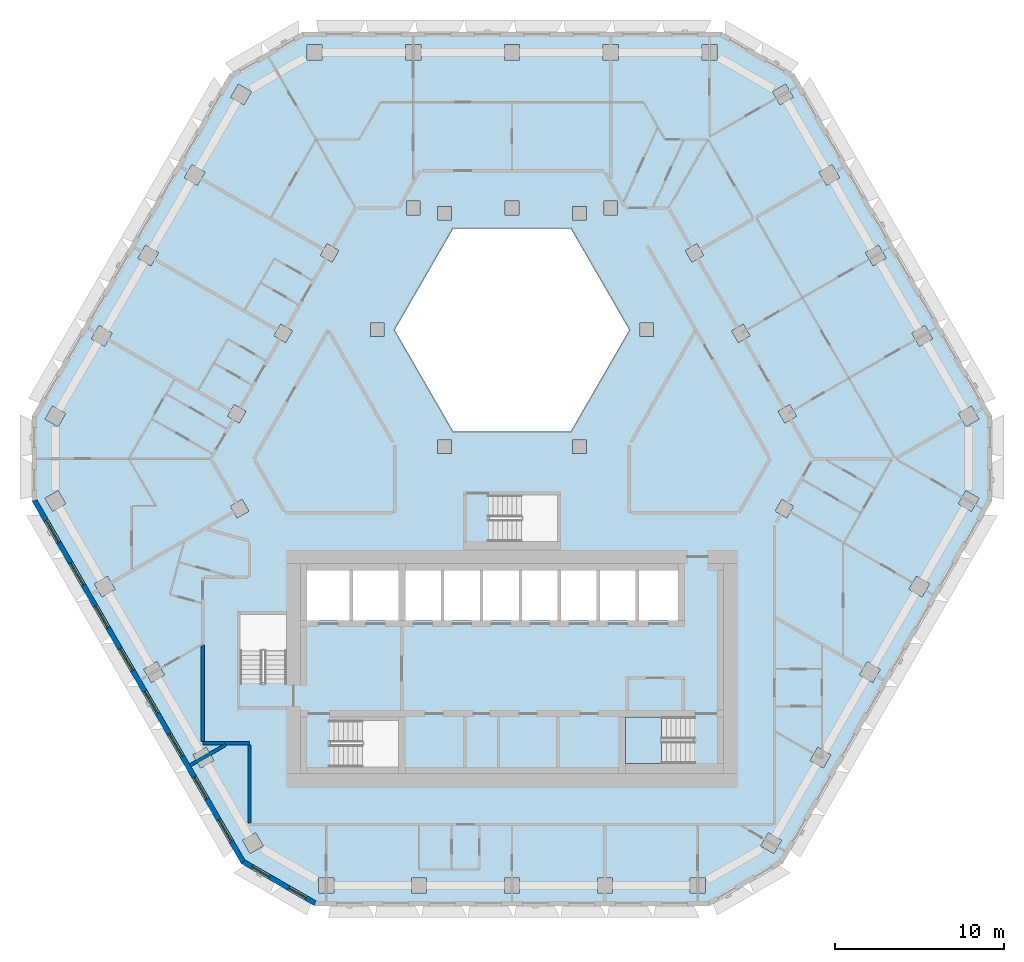
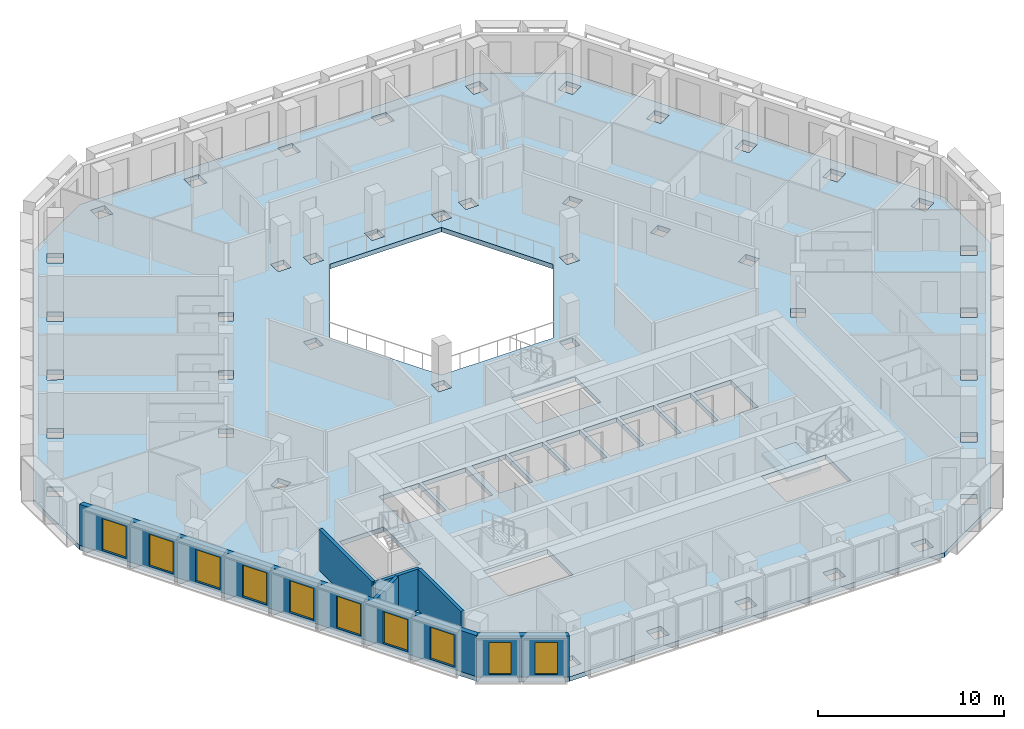
# One storey, part 2 of 17: 10 windows, 6 walls, 2 slabs, 10 openings, 1 element without a shape of its own.
"""IFC4 building model written with IfcOpenShell, lengths in metres."""

from ifc_helpers import new_model, si_unit, direction, frame, frame_2d, origin, place, context, subcontext, project, spatial, polyline, rectangle, outline, extrude, material, layer, layer_set, type_object, element, fill, aggregate, save


model = new_model("IFC4")

# Units and contexts
model_context = context("Model", 3, precision=1e-05, world=origin(), true_north=direction((0.0, 1.0)))
body_context = subcontext(model_context, "Body", "Model", "MODEL_VIEW")
ifc_project = project(units=[si_unit("LENGTHUNIT", "METRE"), si_unit("AREAUNIT", "SQUARE_METRE"), si_unit("VOLUMEUNIT", "CUBIC_METRE"), si_unit("PLANEANGLEUNIT", "RADIAN"), si_unit("MASSUNIT", "GRAM", prefix="KILO")], contexts=[model_context])

# Site, building, storey
site_placement = place(None, origin())
site = spatial("IfcSite", under=ifc_project, at=site_placement, CompositionType="ELEMENT")
building_placement = place(site_placement, origin())
building = spatial("IfcBuilding", under=site, at=building_placement, Name="Beryl Residences", CompositionType="ELEMENT")
storey_placement = place(building_placement, frame((0.0, 0.0, 126.60009765625)))
storey = spatial("IfcBuildingStorey", under=building, at=storey_placement, Name="L38", CompositionType="ELEMENT", Elevation=126.60009765625)

# Slab
ifc_material_1 = material(Name="Concrete C40/50", Category="concrete")
ifc_layer_1 = layer(ifc_material_1, 0.300048828125)
ifc_layer_set_1 = layer_set([ifc_layer_1], Name="SL7 PT floor slab 300 mm C40/50")
slab_type_1 = type_object("IfcSlabType", Name="SL7 PT floor slab 300 mm C40/50", PredefinedType="FLOOR", material=ifc_layer_set_1)
slab_1_placement = place(storey_placement, frame((0.0, 0.0, -0.300048828125)))
element("IfcSlab", 1, at=slab_1_placement, inside=storey, type_object=slab_type_1, Name="L38 slab 1", PredefinedType="FLOOR", context=body_context, shape_type="SweptSolid", body=[
    extrude(outline(polyline([(28.347900390625, -2.10009765625), (15.991943359375, -23.5), (11.662109375, -26.0), (-11.662109375, -26.0), (-15.991943359375, -23.5), (-28.347900390625, -2.10009765625), (-28.347900390625, 2.89990234375), (-16.68505859375, 23.10009765625), (-12.35498046875, 25.60009765625), (12.35498046875, 25.60009765625), (16.68505859375, 23.10009765625), (28.347900390625, 2.89990234375), (28.347900390625, -2.10009765625)]), holes=[polyline([(27.1279296875, 3.514892578125), (26.347900390625, 3.06494140625), (26.798095703125, 2.284912109375), (27.577880859375, 2.735107421875), (27.1279296875, 3.514892578125)]), polyline([(26.7958984375, -1.486083984375), (26.345947265625, -2.26611328125), (27.1259765625, -2.716064453125), (27.575927734375, -1.93603515625), (26.7958984375, -1.486083984375)]), polyline([(23.60498046875, 7.81494140625), (24.054931640625, 7.034912109375), (24.8349609375, 7.485107421875), (24.385009765625, 8.264892578125), (23.60498046875, 7.81494140625)]), polyline([(24.660888671875, -6.986083984375), (23.881103515625, -6.535888671875), (23.430908203125, -7.31591796875), (24.2109375, -7.76611328125), (24.660888671875, -6.986083984375)]), polyline([(21.64306640625, 13.014892578125), (20.863037109375, 12.56494140625), (21.31298828125, 11.784912109375), (22.093017578125, 12.235107421875), (21.64306640625, 13.014892578125)]), polyline([(20.965087890625, -11.5859375), (20.514892578125, -12.365966796875), (21.294921875, -12.81591796875), (21.7451171875, -12.035888671875), (20.965087890625, -11.5859375)]), polyline([(18.1201171875, 17.31494140625), (18.570068359375, 16.534912109375), (19.35009765625, 16.985107421875), (18.89990234375, 17.764892578125), (18.1201171875, 17.31494140625)]), polyline([(18.830078125, -17.0859375), (18.050048828125, -16.635986328125), (17.60009765625, -17.416015625), (18.3798828125, -17.865966796875), (18.830078125, -17.0859375)]), polyline([(16.39892578125, 3.595947265625), (15.70703125, 3.196044921875), (16.10693359375, 2.50390625), (16.799072265625, 2.904052734375), (16.39892578125, 3.595947265625)]), polyline([(16.6240234375, -2.405029296875), (15.931884765625, -2.0048828125), (15.531982421875, -2.697021484375), (16.22412109375, -3.096923828125), (16.6240234375, -2.405029296875)]), polyline([(16.157958984375, 22.514892578125), (15.3779296875, 22.06494140625), (15.827880859375, 21.284912109375), (16.60791015625, 21.735107421875), (16.157958984375, 22.514892578125)]), polyline([(15.9140625, -22.135009765625), (15.134033203125, -21.68505859375), (14.68408203125, -22.465087890625), (15.464111328125, -22.9150390625), (15.9140625, -22.135009765625)]), polyline([(13.656005859375, 8.345947265625), (12.964111328125, 7.946044921875), (13.364013671875, 7.25390625), (14.055908203125, 7.654052734375), (13.656005859375, 8.345947265625)]), polyline([(11.2119140625, 24.85009765625), (11.2119140625, 23.949951171875), (12.112060546875, 23.949951171875), (12.112060546875, 24.85009765625), (11.2119140625, 24.85009765625)]), polyline([(11.4208984375, -24.35009765625), (10.52099609375, -24.35009765625), (10.52099609375, -25.25), (11.4208984375, -25.25), (11.4208984375, -24.35009765625)]), polyline([(10.221923828125, 12.696044921875), (10.6220703125, 12.00390625), (11.31396484375, 12.404052734375), (10.9140625, 13.095947265625), (10.221923828125, 12.696044921875)]), polyline([(6.699951171875, -14.85009765625), (6.699951171875, -17.60009765625), (10.699951171875, -17.60009765625), (10.699951171875, -14.85009765625), (6.699951171875, -14.85009765625)]), polyline([(7.5, -9.14990234375), (9.800048828125, -9.14990234375), (9.800048828125, -6.199951171875), (7.5, -6.199951171875), (7.5, -9.14990234375)]), polyline([(8.366943359375, 7.60009765625), (8.366943359375, 8.39990234375), (7.56689453125, 8.39990234375), (7.56689453125, 7.60009765625), (8.366943359375, 7.60009765625)]), polyline([(7.300048828125, -9.14990234375), (7.300048828125, -6.199951171875), (5.199951171875, -6.199951171875), (5.199951171875, -9.14990234375), (7.300048828125, -9.14990234375)]), polyline([(3.464111328125, 14.0), (-3.464111328125, 14.0), (-6.92822265625, 8.0), (-3.464111328125, 2.0), (3.464111328125, 2.0), (6.92822265625, 8.0), (3.464111328125, 14.0)]), polyline([(5.381103515625, 24.85009765625), (5.381103515625, 23.949951171875), (6.281005859375, 23.949951171875), (6.281005859375, 24.85009765625), (5.381103515625, 24.85009765625)]), polyline([(5.430908203125, 15.60009765625), (5.430908203125, 14.800048828125), (6.23095703125, 14.800048828125), (6.23095703125, 15.60009765625), (5.430908203125, 15.60009765625)]), polyline([(5.93603515625, -25.25), (5.93603515625, -24.35009765625), (5.035888671875, -24.35009765625), (5.035888671875, -25.25), (5.93603515625, -25.25)]), polyline([(2.89990234375, -9.14990234375), (5.0, -9.14990234375), (5.0, -6.199951171875), (2.89990234375, -6.199951171875), (2.89990234375, -9.14990234375)]), polyline([(4.384033203125, 14.5), (4.384033203125, 15.300048828125), (3.583984375, 15.300048828125), (3.583984375, 14.5), (4.384033203125, 14.5)]), polyline([(3.583984375, 1.5), (3.583984375, 0.699951171875), (4.384033203125, 0.699951171875), (4.384033203125, 1.5), (3.583984375, 1.5)]), polyline([(2.699951171875, -4.5), (2.699951171875, -1.75), (-1.300048828125, -1.75), (-1.300048828125, -4.5), (2.699951171875, -4.5)]), polyline([(0.60009765625, -9.14990234375), (2.699951171875, -9.14990234375), (2.699951171875, -6.199951171875), (0.60009765625, -6.199951171875), (0.60009765625, -9.14990234375)]), polyline([(0.450927734375, -24.35009765625), (-0.448974609375, -24.35009765625), (-0.448974609375, -25.25), (0.450927734375, -25.25), (0.450927734375, -24.35009765625)]), polyline([(-0.449951171875, 24.85009765625), (-0.449951171875, 23.949951171875), (0.449951171875, 23.949951171875), (0.449951171875, 24.85009765625), (-0.449951171875, 24.85009765625)]), polyline([(0.39990234375, -6.199951171875), (-1.699951171875, -6.199951171875), (-1.699951171875, -9.14990234375), (0.39990234375, -9.14990234375), (0.39990234375, -6.199951171875)]), polyline([(-0.39990234375, 15.60009765625), (-0.39990234375, 14.800048828125), (0.39990234375, 14.800048828125), (0.39990234375, 15.60009765625), (-0.39990234375, 15.60009765625)]), polyline([(-4.0, -9.14990234375), (-1.89990234375, -9.14990234375), (-1.89990234375, -6.199951171875), (-4.0, -6.199951171875), (-4.0, -9.14990234375)]), polyline([(-3.583984375, 14.5), (-3.583984375, 15.300048828125), (-4.384033203125, 15.300048828125), (-4.384033203125, 14.5), (-3.583984375, 14.5)]), polyline([(-3.583984375, 0.699951171875), (-3.583984375, 1.5), (-4.384033203125, 1.5), (-4.384033203125, 0.699951171875), (-3.583984375, 0.699951171875)]), polyline([(-6.300048828125, -9.14990234375), (-4.199951171875, -9.14990234375), (-4.199951171875, -6.199951171875), (-6.300048828125, -6.199951171875), (-6.300048828125, -9.14990234375)]), polyline([(-5.033935546875, -25.25), (-5.033935546875, -24.35009765625), (-5.93408203125, -24.35009765625), (-5.93408203125, -25.25), (-5.033935546875, -25.25)]), polyline([(-6.281005859375, 23.949951171875), (-5.381103515625, 23.949951171875), (-5.381103515625, 24.85009765625), (-6.281005859375, 24.85009765625), (-6.281005859375, 23.949951171875)]), polyline([(-6.23095703125, 14.800048828125), (-5.430908203125, 14.800048828125), (-5.430908203125, 15.60009765625), (-6.23095703125, 15.60009765625), (-6.23095703125, 14.800048828125)]), polyline([(-6.699951171875, -6.199951171875), (-9.39990234375, -6.199951171875), (-9.39990234375, -9.14990234375), (-6.699951171875, -9.14990234375), (-6.699951171875, -6.199951171875)]), polyline([(-10.699951171875, -15.050048828125), (-10.699951171875, -17.800048828125), (-6.699951171875, -17.800048828125), (-6.699951171875, -15.050048828125), (-10.699951171875, -15.050048828125)]), polyline([(-7.56689453125, 7.60009765625), (-7.56689453125, 8.39990234375), (-8.366943359375, 8.39990234375), (-8.366943359375, 7.60009765625), (-7.56689453125, 7.60009765625)]), polyline([(-12.10009765625, -9.14990234375), (-9.60009765625, -9.14990234375), (-9.60009765625, -6.199951171875), (-12.10009765625, -6.199951171875), (-12.10009765625, -9.14990234375)]), polyline([(-11.31396484375, 12.404052734375), (-10.6220703125, 12.00390625), (-10.221923828125, 12.696044921875), (-10.9140625, 13.095947265625), (-11.31396484375, 12.404052734375)]), polyline([(-11.4189453125, -24.35009765625), (-11.4189453125, -25.25), (-10.51904296875, -25.25), (-10.51904296875, -24.35009765625), (-11.4189453125, -24.35009765625)]), polyline([(-12.112060546875, 24.85009765625), (-12.112060546875, 23.949951171875), (-11.2119140625, 23.949951171875), (-11.2119140625, 24.85009765625), (-12.112060546875, 24.85009765625)]), polyline([(-14.055908203125, 7.654052734375), (-13.364013671875, 7.25390625), (-12.964111328125, 7.946044921875), (-13.656005859375, 8.345947265625), (-14.055908203125, 7.654052734375)]), polyline([(-13.300048828125, -8.800048828125), (-16.050048828125, -8.800048828125), (-16.050048828125, -12.800048828125), (-13.300048828125, -12.800048828125), (-13.300048828125, -8.800048828125)]), polyline([(-14.68505859375, -22.464111328125), (-15.135009765625, -21.68408203125), (-15.9150390625, -22.134033203125), (-15.465087890625, -22.9140625), (-14.68505859375, -22.464111328125)]), polyline([(-15.827880859375, 21.284912109375), (-15.3779296875, 22.06494140625), (-16.157958984375, 22.514892578125), (-16.60791015625, 21.735107421875), (-15.827880859375, 21.284912109375)]), polyline([(-15.532958984375, -2.695068359375), (-15.93310546875, -2.0029296875), (-16.625, -2.403076171875), (-16.22509765625, -3.094970703125), (-15.532958984375, -2.695068359375)]), polyline([(-16.10693359375, 2.50390625), (-15.70703125, 3.196044921875), (-16.39892578125, 3.595947265625), (-16.799072265625, 2.904052734375), (-16.10693359375, 2.50390625)]), polyline([(-17.60107421875, -17.4140625), (-18.051025390625, -16.634033203125), (-18.8310546875, -17.083984375), (-18.381103515625, -17.864013671875), (-17.60107421875, -17.4140625)]), polyline([(-19.35009765625, 16.985107421875), (-18.570068359375, 16.534912109375), (-18.1201171875, 17.31494140625), (-18.89990234375, 17.764892578125), (-19.35009765625, 16.985107421875)]), polyline([(-21.2958984375, -12.81396484375), (-20.51611328125, -12.364013671875), (-20.966064453125, -11.583984375), (-21.74609375, -12.033935546875), (-21.2958984375, -12.81396484375)]), polyline([(-20.863037109375, 12.56494140625), (-21.64306640625, 13.014892578125), (-22.093017578125, 12.235107421875), (-21.31298828125, 11.784912109375), (-20.863037109375, 12.56494140625)]), polyline([(-24.2119140625, -7.763916015625), (-23.431884765625, -7.31396484375), (-23.882080078125, -6.533935546875), (-24.662109375, -6.98388671875), (-24.2119140625, -7.763916015625)]), polyline([(-24.8349609375, 7.485107421875), (-24.054931640625, 7.034912109375), (-23.60498046875, 7.81494140625), (-24.385009765625, 8.264892578125), (-24.8349609375, 7.485107421875)]), polyline([(-27.126953125, -2.715087890625), (-26.346923828125, -2.264892578125), (-26.797119140625, -1.485107421875), (-27.576904296875, -1.93505859375), (-27.126953125, -2.715087890625)]), polyline([(-27.577880859375, 2.735107421875), (-26.798095703125, 2.284912109375), (-26.347900390625, 3.06494140625), (-27.1279296875, 3.514892578125), (-27.577880859375, 2.735107421875)])]), origin(), (0.0, 0.0, 1.0), 0.300048828125),
])

# Stair, slab
ifc_material_2 = material(Name="Concrete C40/50", Category="concrete")
stair_type = type_object("IfcStairType", Name="ST1 protected exit stair, half-turn, 1300 mm flights", PredefinedType="HALF_TURN_STAIR", material=ifc_material_2)
stair_placement = place(storey_placement, origin())
stair = element("IfcStair", 2, at=stair_placement, inside=storey, type_object=stair_type, Name="L38 PROTECTED EXIT STAIR ST-3", PredefinedType="HALF_TURN_STAIR")
ifc_material_3 = material(Name="Concrete C40/50", Category="concrete")
ifc_layer_2 = layer(ifc_material_3, 0.199951171875)
ifc_layer_set_2 = layer_set([ifc_layer_2], Name="SLD1 stair landing 200 mm")
slab_type_2 = type_object("IfcSlabType", Name="SLD1 stair landing 200 mm", PredefinedType="LANDING", material=ifc_layer_set_2)
slab_2_placement = place(storey_placement, frame((0.0, 0.0, 1.2998046875)))
slab_2 = element("IfcSlab", 3, at=slab_2_placement, type_object=slab_type_2, Name="ST-3 landing 1", PredefinedType="LANDING", context=body_context, shape_type="SweptSolid", body=[
    extrude(outline(polyline([(8.840087890625, -14.85009765625), (6.699951171875, -14.85009765625), (6.699951171875, -17.60009765625), (8.840087890625, -17.60009765625), (8.840087890625, -14.85009765625)])), origin(), (0.0, 0.0, 1.0), 0.2001953125),
])
aggregate(stair, [slab_2])

# Wall, openings, windows
ifc_material_4 = material(Name="Composite metal panel with mineral wool insulation")
ifc_layer_3 = layer(ifc_material_4, 0.300048828125)
ifc_layer_set_3 = layer_set([ifc_layer_3], Name="ES1 pale metal composite panel wall 300 mm")
wall_type_1 = type_object("IfcWallType", Name="ES1 pale metal composite panel wall 300 mm", PredefinedType="SOLIDWALL", material=ifc_layer_set_3)
wall_1_placement = place(storey_placement, frame((-28.218017578125, -2.02490234375, 0.0), z_axis=(0.0, 0.0, 1.0), x_axis=(0.500017503135, -0.866015298109, 0.0)))
wall_1 = element("IfcWall", 4, at=wall_1_placement, inside=storey, type_object=wall_type_1, Name="ES1 external wall L38 SW", PredefinedType="SOLIDWALL", context=body_context, shape_type="SweptSolid", body=[
    extrude(outline(polyline([(0.0, -0.14990234375), (24.7109375, -0.14990234375), (24.630615234375, 0.14990234375), (0.080322265625, 0.14990234375), (0.0, -0.14990234375)])), origin(), (0.0, 0.0, 1.0), 2.699951171875),
])
opening_1_placement = place(wall_1_placement, frame((1.39990234375, 0.0, 0.14990234375)))
opening_1 = element("IfcOpeningElement", 5, at=opening_1_placement, cuts=wall_1, Name="Opening W1", PredefinedType="OPENING", context=body_context, shape_type="SweptSolid", body=[
    extrude(rectangle(XDim=1.5, YDim=2.10009765625, at=frame_2d((0.75, 1.050048828125))), frame((0.0, 0.159912109375, 0.0), z_axis=(0.0, -1.0, 0.0), x_axis=(1.0, 0.0, 0.0)), (0.0, 0.0, 1.0), 0.320068359375),
])
opening_2_placement = place(wall_1_placement, frame((4.31591796875, 0.0, 0.14990234375)))
opening_2 = element("IfcOpeningElement", 6, at=opening_2_placement, cuts=wall_1, Name="Opening W1", PredefinedType="OPENING", context=body_context, shape_type="SweptSolid", body=[
    extrude(rectangle(XDim=1.5, YDim=2.10009765625, at=frame_2d((0.75, 1.050048828125))), frame((0.0, 0.159912109375, 0.0), z_axis=(0.0, -1.0, 0.0), x_axis=(1.0, 0.0, 0.0)), (0.0, 0.0, 1.0), 0.320068359375),
])
opening_3_placement = place(wall_1_placement, frame((7.23095703125, 0.0, 0.14990234375)))
opening_3 = element("IfcOpeningElement", 7, at=opening_3_placement, cuts=wall_1, Name="Opening W1", PredefinedType="OPENING", context=body_context, shape_type="SweptSolid", body=[
    extrude(rectangle(XDim=1.5, YDim=2.10009765625, at=frame_2d((0.75, 1.050048828125))), frame((0.0, 0.159912109375, 0.0), z_axis=(0.0, -1.0, 0.0), x_axis=(1.0, 0.0, 0.0)), (0.0, 0.0, 1.0), 0.320068359375),
])
opening_4_placement = place(wall_1_placement, frame((10.14697265625, 0.0, 0.14990234375)))
opening_4 = element("IfcOpeningElement", 8, at=opening_4_placement, cuts=wall_1, Name="Opening W1", PredefinedType="OPENING", context=body_context, shape_type="SweptSolid", body=[
    extrude(rectangle(XDim=1.5, YDim=2.10009765625, at=frame_2d((0.75, 1.050048828125))), frame((0.0, 0.159912109375, 0.0), z_axis=(0.0, -1.0, 0.0), x_axis=(1.0, 0.0, 0.0)), (0.0, 0.0, 1.0), 0.320068359375),
])
opening_5_placement = place(wall_1_placement, frame((13.06201171875, 0.0, 0.14990234375)))
opening_5 = element("IfcOpeningElement", 9, at=opening_5_placement, cuts=wall_1, Name="Opening W1", PredefinedType="OPENING", context=body_context, shape_type="SweptSolid", body=[
    extrude(rectangle(XDim=1.5, YDim=2.10009765625, at=frame_2d((0.75, 1.050048828125))), frame((0.0, 0.159912109375, 0.0), z_axis=(0.0, -1.0, 0.0), x_axis=(1.0, 0.0, 0.0)), (0.0, 0.0, 1.0), 0.320068359375),
])
opening_6_placement = place(wall_1_placement, frame((15.97705078125, 0.0, 0.14990234375)))
opening_6 = element("IfcOpeningElement", 10, at=opening_6_placement, cuts=wall_1, Name="Opening W1", PredefinedType="OPENING", context=body_context, shape_type="SweptSolid", body=[
    extrude(rectangle(XDim=1.5, YDim=2.10009765625, at=frame_2d((0.75, 1.050048828125))), frame((0.0, 0.159912109375, 0.0), z_axis=(0.0, -1.0, 0.0), x_axis=(1.0, 0.0, 0.0)), (0.0, 0.0, 1.0), 0.320068359375),
])
opening_7_placement = place(wall_1_placement, frame((18.89306640625, 0.0, 0.14990234375)))
opening_7 = element("IfcOpeningElement", 11, at=opening_7_placement, cuts=wall_1, Name="Opening W1", PredefinedType="OPENING", context=body_context, shape_type="SweptSolid", body=[
    extrude(rectangle(XDim=1.5, YDim=2.10009765625, at=frame_2d((0.75, 1.050048828125))), frame((0.0, 0.159912109375, 0.0), z_axis=(0.0, -1.0, 0.0), x_axis=(1.0, 0.0, 0.0)), (0.0, 0.0, 1.0), 0.320068359375),
])
opening_8_placement = place(wall_1_placement, frame((21.80908203125, 0.0, 0.14990234375)))
opening_8 = element("IfcOpeningElement", 12, at=opening_8_placement, cuts=wall_1, Name="Opening W1", PredefinedType="OPENING", context=body_context, shape_type="SweptSolid", body=[
    extrude(rectangle(XDim=1.5, YDim=2.10009765625, at=frame_2d((0.75, 1.050048828125))), frame((0.0, 0.159912109375, 0.0), z_axis=(0.0, -1.0, 0.0), x_axis=(1.0, 0.0, 0.0)), (0.0, 0.0, 1.0), 0.320068359375),
])
ifc_material_5 = material(Name="Aluminium and clear glass", Category="aluminium")
window_type_1 = type_object("IfcWindowType", Name="W1 cell window 1500 x 2100 mm", PartitioningType="SINGLE_PANEL", PredefinedType="WINDOW", material=ifc_material_5)
window_1_placement = place(opening_1_placement, origin())
window_1 = element("IfcWindow", 13, at=window_1_placement, inside=storey, type_object=window_type_1, Name="W1 window L38 SW 1", OverallHeight=2.10009765625, OverallWidth=1.5, PartitioningType="SINGLE_PANEL", PredefinedType="WINDOW", context=body_context, shape_type="SweptSolid", body=[
    extrude(rectangle(XDim=1.5, YDim=2.10009765625, at=frame_2d((0.75, 1.050048828125))), frame((0.0, 0.030029296875, 0.0), z_axis=(0.0, -1.0, 0.0), x_axis=(1.0, 0.0, 0.0)), (0.0, 0.0, 1.0), 0.06005859375),
])
fill(opening_1, window_1)
window_2_placement = place(opening_2_placement, origin())
window_2 = element("IfcWindow", 14, at=window_2_placement, inside=storey, type_object=window_type_1, Name="W1 window L38 SW 2", OverallHeight=2.10009765625, OverallWidth=1.5, PartitioningType="SINGLE_PANEL", PredefinedType="WINDOW", context=body_context, shape_type="SweptSolid", body=[
    extrude(rectangle(XDim=1.5, YDim=2.10009765625, at=frame_2d((0.75, 1.050048828125))), frame((0.0, 0.030029296875, 0.0), z_axis=(0.0, -1.0, 0.0), x_axis=(1.0, 0.0, 0.0)), (0.0, 0.0, 1.0), 0.06005859375),
])
fill(opening_2, window_2)
window_3_placement = place(opening_3_placement, origin())
window_3 = element("IfcWindow", 15, at=window_3_placement, inside=storey, type_object=window_type_1, Name="W1 window L38 SW 3", OverallHeight=2.10009765625, OverallWidth=1.5, PartitioningType="SINGLE_PANEL", PredefinedType="WINDOW", context=body_context, shape_type="SweptSolid", body=[
    extrude(rectangle(XDim=1.5, YDim=2.10009765625, at=frame_2d((0.75, 1.050048828125))), frame((0.0, 0.030029296875, 0.0), z_axis=(0.0, -1.0, 0.0), x_axis=(1.0, 0.0, 0.0)), (0.0, 0.0, 1.0), 0.06005859375),
])
fill(opening_3, window_3)
window_4_placement = place(opening_4_placement, origin())
window_4 = element("IfcWindow", 16, at=window_4_placement, inside=storey, type_object=window_type_1, Name="W1 window L38 SW 4", OverallHeight=2.10009765625, OverallWidth=1.5, PartitioningType="SINGLE_PANEL", PredefinedType="WINDOW", context=body_context, shape_type="SweptSolid", body=[
    extrude(rectangle(XDim=1.5, YDim=2.10009765625, at=frame_2d((0.75, 1.050048828125))), frame((0.0, 0.030029296875, 0.0), z_axis=(0.0, -1.0, 0.0), x_axis=(1.0, 0.0, 0.0)), (0.0, 0.0, 1.0), 0.06005859375),
])
fill(opening_4, window_4)
window_5_placement = place(opening_5_placement, origin())
window_5 = element("IfcWindow", 17, at=window_5_placement, inside=storey, type_object=window_type_1, Name="W1 window L38 SW 5", OverallHeight=2.10009765625, OverallWidth=1.5, PartitioningType="SINGLE_PANEL", PredefinedType="WINDOW", context=body_context, shape_type="SweptSolid", body=[
    extrude(rectangle(XDim=1.5, YDim=2.10009765625, at=frame_2d((0.75, 1.050048828125))), frame((0.0, 0.030029296875, 0.0), z_axis=(0.0, -1.0, 0.0), x_axis=(1.0, 0.0, 0.0)), (0.0, 0.0, 1.0), 0.06005859375),
])
fill(opening_5, window_5)
window_6_placement = place(opening_6_placement, origin())
window_6 = element("IfcWindow", 18, at=window_6_placement, inside=storey, type_object=window_type_1, Name="W1 window L38 SW 6", OverallHeight=2.10009765625, OverallWidth=1.5, PartitioningType="SINGLE_PANEL", PredefinedType="WINDOW", context=body_context, shape_type="SweptSolid", body=[
    extrude(rectangle(XDim=1.5, YDim=2.10009765625, at=frame_2d((0.75, 1.050048828125))), frame((0.0, 0.030029296875, 0.0), z_axis=(0.0, -1.0, 0.0), x_axis=(1.0, 0.0, 0.0)), (0.0, 0.0, 1.0), 0.06005859375),
])
fill(opening_6, window_6)
window_7_placement = place(opening_7_placement, origin())
window_7 = element("IfcWindow", 19, at=window_7_placement, inside=storey, type_object=window_type_1, Name="W1 window L38 SW 7", OverallHeight=2.10009765625, OverallWidth=1.5, PartitioningType="SINGLE_PANEL", PredefinedType="WINDOW", context=body_context, shape_type="SweptSolid", body=[
    extrude(rectangle(XDim=1.5, YDim=2.10009765625, at=frame_2d((0.75, 1.050048828125))), frame((0.0, 0.030029296875, 0.0), z_axis=(0.0, -1.0, 0.0), x_axis=(1.0, 0.0, 0.0)), (0.0, 0.0, 1.0), 0.06005859375),
])
fill(opening_7, window_7)
window_8_placement = place(opening_8_placement, origin())
window_8 = element("IfcWindow", 20, at=window_8_placement, inside=storey, type_object=window_type_1, Name="W1 window L38 SW 8", OverallHeight=2.10009765625, OverallWidth=1.5, PartitioningType="SINGLE_PANEL", PredefinedType="WINDOW", context=body_context, shape_type="SweptSolid", body=[
    extrude(rectangle(XDim=1.5, YDim=2.10009765625, at=frame_2d((0.75, 1.050048828125))), frame((0.0, 0.030029296875, 0.0), z_axis=(0.0, -1.0, 0.0), x_axis=(1.0, 0.0, 0.0)), (0.0, 0.0, 1.0), 0.06005859375),
])
fill(opening_8, window_8)

wall_2_placement = place(storey_placement, frame((-15.9169921875, -23.3701171875, 0.0), z_axis=(0.0, 0.0, 1.0), x_axis=(0.866022959057, -0.500004234368, 0.0)))
wall_2 = element("IfcWall", 21, at=wall_2_placement, inside=storey, type_object=wall_type_1, Name="ES1 external wall L38 SW-S", PredefinedType="SOLIDWALL", context=body_context, shape_type="SweptSolid", body=[
    extrude(outline(polyline([(0.0, -0.14990234375), (5.0, -0.14990234375), (4.919677734375, 0.14990234375), (0.080322265625, 0.14990234375), (0.0, -0.14990234375)])), origin(), (0.0, 0.0, 1.0), 2.699951171875),
])
opening_9_placement = place(wall_2_placement, frame((0.64990234375, 0.0, 0.14990234375)))
opening_9 = element("IfcOpeningElement", 22, at=opening_9_placement, cuts=wall_2, Name="Opening W2", PredefinedType="OPENING", context=body_context, shape_type="SweptSolid", body=[
    extrude(rectangle(XDim=1.199951171875, YDim=2.10009765625, at=frame_2d((0.60009765625, 1.050048828125))), frame((0.0, 0.159912109375, 0.0), z_axis=(0.0, -1.0, 0.0), x_axis=(1.0, 0.0, 0.0)), (0.0, 0.0, 1.0), 0.320068359375),
])
opening_10_placement = place(wall_2_placement, frame((3.14990234375, 0.0, 0.14990234375)))
opening_10 = element("IfcOpeningElement", 23, at=opening_10_placement, cuts=wall_2, Name="Opening W2", PredefinedType="OPENING", context=body_context, shape_type="SweptSolid", body=[
    extrude(rectangle(XDim=1.199951171875, YDim=2.10009765625, at=frame_2d((0.60009765625, 1.050048828125))), frame((0.0, 0.159912109375, 0.0), z_axis=(0.0, -1.0, 0.0), x_axis=(1.0, 0.0, 0.0)), (0.0, 0.0, 1.0), 0.320068359375),
])
ifc_material_6 = material(Name="Aluminium and clear glass", Category="aluminium")
window_type_2 = type_object("IfcWindowType", Name="W2 chamfer window 1200 x 2100 mm", PartitioningType="SINGLE_PANEL", PredefinedType="WINDOW", material=ifc_material_6)
window_9_placement = place(opening_9_placement, origin())
window_9 = element("IfcWindow", 24, at=window_9_placement, inside=storey, type_object=window_type_2, Name="W2 window L38 SW-S 1", OverallHeight=2.10009765625, OverallWidth=1.199951171875, PartitioningType="SINGLE_PANEL", PredefinedType="WINDOW", context=body_context, shape_type="SweptSolid", body=[
    extrude(rectangle(XDim=1.199951171875, YDim=2.10009765625, at=frame_2d((0.60009765625, 1.050048828125))), frame((0.0, 0.030029296875, 0.0), z_axis=(0.0, -1.0, 0.0), x_axis=(1.0, 0.0, 0.0)), (0.0, 0.0, 1.0), 0.06005859375),
])
fill(opening_9, window_9)
window_10_placement = place(opening_10_placement, origin())
window_10 = element("IfcWindow", 25, at=window_10_placement, inside=storey, type_object=window_type_2, Name="W2 window L38 SW-S 2", OverallHeight=2.10009765625, OverallWidth=1.199951171875, PartitioningType="SINGLE_PANEL", PredefinedType="WINDOW", context=body_context, shape_type="SweptSolid", body=[
    extrude(rectangle(XDim=1.199951171875, YDim=2.10009765625, at=frame_2d((0.60009765625, 1.050048828125))), frame((0.0, 0.030029296875, 0.0), z_axis=(0.0, -1.0, 0.0), x_axis=(1.0, 0.0, 0.0)), (0.0, 0.0, 1.0), 0.06005859375),
])
fill(opening_10, window_10)

# Walls
ifc_material_7 = material(Name="Acoustic double stud gypsum board wall")
ifc_layer_4 = layer(ifc_material_7, 0.199951171875)
ifc_layer_set_4 = layer_set([ifc_layer_4], Name="PT3 party wall 200 mm acoustic double stud")
wall_type_2 = type_object("IfcWallType", Name="PT3 party wall 200 mm acoustic double stud", PredefinedType="PARTITIONING", material=ifc_layer_set_4)
wall_3_placement = place(storey_placement, frame((-18.9951171875, -17.698974609375, 0.0), z_axis=(0.0, 0.0, 1.0), x_axis=(0.86607371389, 0.499916315105, 0.0)))
element("IfcWall", 26, at=wall_3_placement, inside=storey, type_object=wall_type_2, Name="Wall PT3 L38 009", PredefinedType="PARTITIONING", context=body_context, shape_type="SweptSolid", body=[
    extrude(rectangle(XDim=2.3984375, YDim=0.199951171875, at=frame_2d((1.19921875, 0.0))), origin(), (0.0, 0.0, 1.0), 2.699951171875),
])
ifc_material_8 = material(Name="Double stud gypsum board wall")
ifc_layer_5 = layer(ifc_material_8, 0.199951171875)
ifc_layer_set_5 = layer_set([ifc_layer_5], Name="PT4 corridor wall 200 mm double stud")
wall_type_3 = type_object("IfcWallType", Name="PT4 corridor wall 200 mm double stud", PredefinedType="PARTITIONING", material=ifc_layer_set_5)
wall_4_placement = place(storey_placement, frame((-15.5, -16.5, 0.0), z_axis=(0.0, 0.0, 1.0), x_axis=(0.0, -1.0, 0.0)))
element("IfcWall", 27, at=wall_4_placement, inside=storey, type_object=wall_type_3, Name="Wall PT4 L38 007", PredefinedType="PARTITIONING", context=body_context, shape_type="SweptSolid", body=[
    extrude(rectangle(XDim=4.59912109375, YDim=0.199951171875, at=frame_2d((2.299560546875, 0.0))), origin(), (0.0, 0.0, 1.0), 2.699951171875),
])
wall_5_placement = place(storey_placement, frame((-18.25, -10.593017578125, 0.0), z_axis=(0.0, 0.0, 1.0), x_axis=(0.0, -1.0, 0.0)))
element("IfcWall", 28, at=wall_5_placement, inside=storey, type_object=wall_type_3, Name="Wall PT4 L38 008", PredefinedType="PARTITIONING", context=body_context, shape_type="SweptSolid", body=[
    extrude(rectangle(XDim=5.7060546875, YDim=0.199951171875, at=frame_2d((2.85302734375, 0.0))), origin(), (0.0, 0.0, 1.0), 2.699951171875),
])
wall_6_placement = place(storey_placement, frame((-18.2490234375, -16.39990234375, 0.0), z_axis=(0.0, 0.0, 1.0), x_axis=(1.0, 0.0, 0.0)))
element("IfcWall", 29, at=wall_6_placement, inside=storey, type_object=wall_type_3, Name="Wall PT4 L38 010", PredefinedType="PARTITIONING", context=body_context, shape_type="SweptSolid", body=[
    extrude(rectangle(XDim=2.7490234375, YDim=0.199951171875, at=frame_2d((1.37451171875, 0.0))), origin(), (0.0, 0.0, 1.0), 2.699951171875),
])

save(model, "model.ifc")
